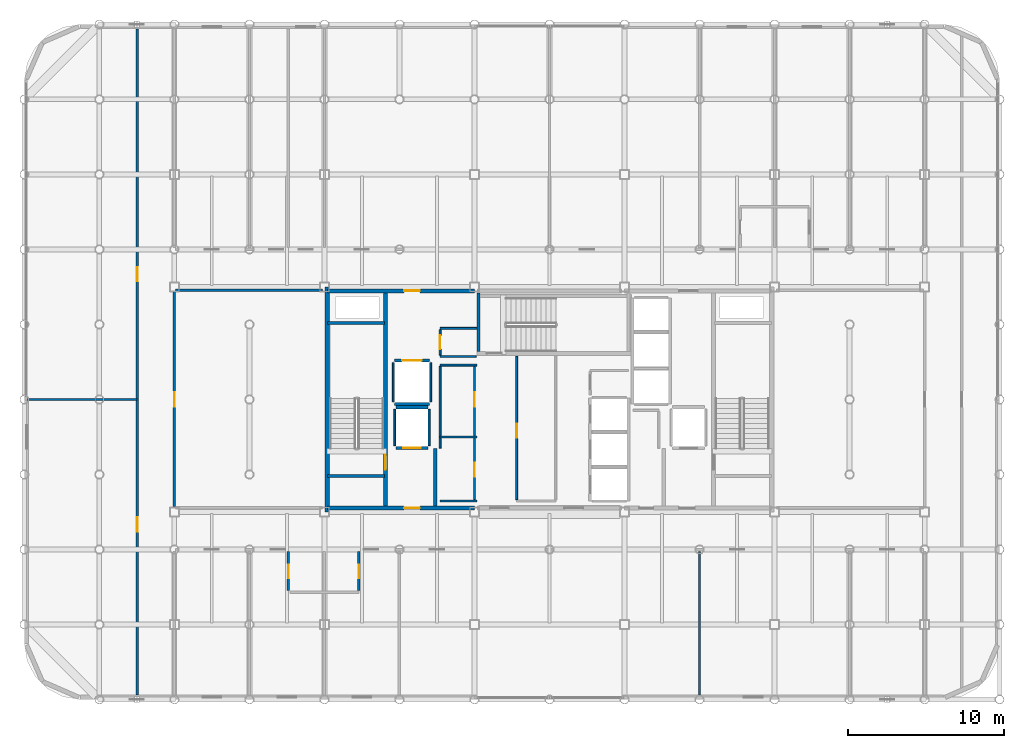
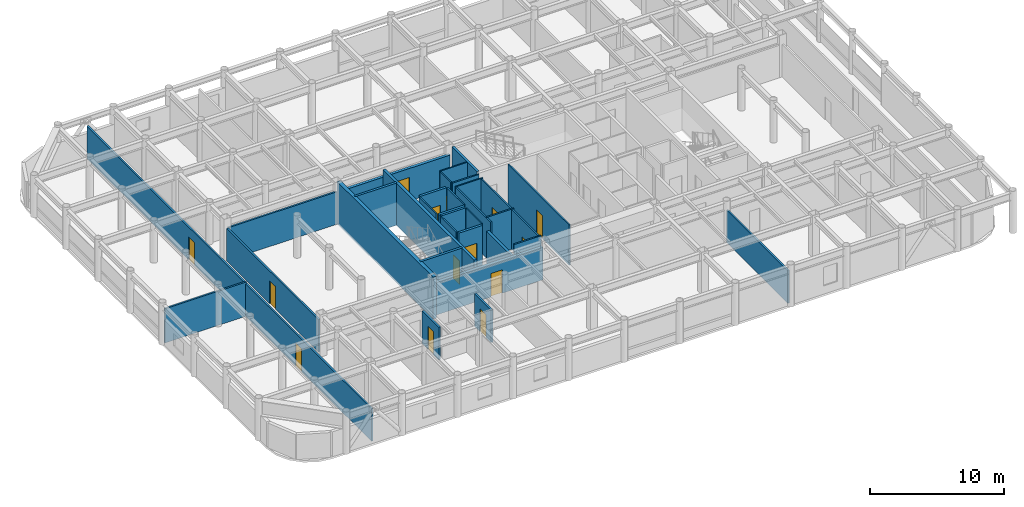
# One storey, part 18 of 22: 32 walls, 14 doors, 14 openings.
"""IFC4 building model written with IfcOpenShell, lengths in metres."""

from ifc_helpers import new_model, si_unit, direction, frame, frame_2d, origin, place, context, subcontext, project, spatial, rectangle, extrude, material, layer, layer_set, type_object, element, fill, save


model = new_model("IFC4")

# Units and contexts
model_context = context("Model", 3, precision=1e-05, world=origin(), true_north=direction((0.0, 1.0)))
body_context = subcontext(model_context, "Body", "Model", "MODEL_VIEW")
ifc_project = project(units=[si_unit("LENGTHUNIT", "METRE"), si_unit("AREAUNIT", "SQUARE_METRE"), si_unit("VOLUMEUNIT", "CUBIC_METRE"), si_unit("PLANEANGLEUNIT", "RADIAN"), si_unit("MASSUNIT", "GRAM", prefix="KILO")], contexts=[model_context])

# Site, building, storey
site_placement = place(None, origin())
site = spatial("IfcSite", under=ifc_project, at=site_placement, CompositionType="ELEMENT")
building_placement = place(site_placement, origin())
building = spatial("IfcBuilding", under=site, at=building_placement, Name="Kallvorn Hotel Tower", CompositionType="ELEMENT")
storey_placement = place(building_placement, frame((0.0, 0.0, 264.64990234375)))
storey = spatial("IfcBuildingStorey", under=building, at=storey_placement, Name="L66", CompositionType="ELEMENT", Elevation=264.64990234375)

# Wall
ifc_material_1 = material(Name="Concrete C50/60", Category="concrete")
ifc_layer_1 = layer(ifc_material_1, 0.300048828125)
ifc_layer_set_1 = layer_set([ifc_layer_1], Name="WL_CORE_300")
wall_type_1 = type_object("IfcWallType", Name="WL_CORE_300", PredefinedType="SHEAR", material=ifc_layer_set_1)
wall_1_placement = place(storey_placement, frame((-14.215087890625, -7.199951171875, -0.179931640625), z_axis=(0.0, 0.0, 1.0), x_axis=(0.0, 1.0, 0.0)))
element("IfcWall", 1, at=wall_1_placement, inside=storey, type_object=wall_type_1, Name="L66 Core West Shear Wall", PredefinedType="SHEAR", context=body_context, shape_type="SweptSolid", body=[
    extrude(rectangle(XDim=14.39990234375, YDim=0.300048828125, at=frame_2d((7.199951171875, 0.0))), origin(), (0.0, 0.0, 1.0), 3.85009765625),
])

# Wall, opening, door
ifc_material_2 = material(Name="Fire-rated double-layer acoustic gypsum drywall EI 60")
ifc_layer_2 = layer(ifc_material_2, 0.159912109375)
ifc_layer_set_2 = layer_set([ifc_layer_2], Name="WL_DEMISE_160")
wall_type_2 = type_object("IfcWallType", Name="WL_DEMISE_160", PredefinedType="PARTITIONING", material=ifc_layer_set_2)
wall_2_placement = place(storey_placement, frame((-16.705078125, -12.235107421875, 0.0), z_axis=(0.0, 0.0, 1.0), x_axis=(0.0, 1.0, 0.0)))
wall_2 = element("IfcWall", 2, at=wall_2_placement, inside=storey, type_object=wall_type_2, Name="L66 Suite 6601 Superior Twin Room Partition", PredefinedType="PARTITIONING", context=body_context, shape_type="SweptSolid", body=[
    extrude(rectangle(XDim=2.51513671875, YDim=0.159912109375, at=frame_2d((1.257568359375, 0.0))), origin(), (0.0, 0.0, 1.0), 2.97021484375),
])
opening_1_placement = place(wall_2_placement, frame((0.784912109375, 0.0, 0.0)))
opening_1 = element("IfcOpeningElement", 3, at=opening_1_placement, cuts=wall_2, Name="Opening BD-I", PredefinedType="OPENING", context=body_context, shape_type="SweptSolid", body=[
    extrude(rectangle(XDim=0.860107421875, YDim=2.10009765625, at=frame_2d((0.43017578125, 1.050048828125))), frame((0.0, 0.094970703125, 0.0), z_axis=(0.0, -1.0, 0.0), x_axis=(1.0, 0.0, 0.0)), (0.0, 0.0, 1.0), 0.18994140625),
])
ifc_material_3 = material(Name="Solid-core walnut veneer fire-rated timber door leaf", Category="wood")
door_type_1 = type_object("IfcDoorType", Name="DR_BATH_860x2100", OperationType="NOTDEFINED", PredefinedType="DOOR", material=ifc_material_3)
door_1_placement = place(opening_1_placement, origin())
door_1 = element("IfcDoor", 4, at=door_1_placement, inside=storey, type_object=door_type_1, Name="L66 Suite 6601 En-Suite Bathroom Door", OperationType="SINGLE_SWING_LEFT", OverallHeight=2.10009765625, OverallWidth=0.860107421875, PredefinedType="DOOR", context=body_context, shape_type="SweptSolid", body=[
    extrude(rectangle(XDim=0.860107421875, YDim=2.10009765625, at=frame_2d((0.43017578125, 1.050048828125))), frame((0.0, 0.02490234375, 0.0), z_axis=(0.0, -1.0, 0.0), x_axis=(1.0, 0.0, 0.0)), (0.0, 0.0, 1.0), 0.050048828125),
])
fill(opening_1, door_1)

wall_3_placement = place(storey_placement, frame((-12.18994140625, -12.235107421875, 0.0), z_axis=(0.0, 0.0, 1.0), x_axis=(0.0, 1.0, 0.0)))
wall_3 = element("IfcWall", 5, at=wall_3_placement, inside=storey, type_object=wall_type_2, Name="L66 Suite 6602 Superior Twin Room Partition", PredefinedType="PARTITIONING", context=body_context, shape_type="SweptSolid", body=[
    extrude(rectangle(XDim=2.51513671875, YDim=0.159912109375, at=frame_2d((1.257568359375, 0.0))), origin(), (0.0, 0.0, 1.0), 2.97021484375),
])
opening_2_placement = place(wall_3_placement, frame((0.784912109375, 0.0, 0.0)))
opening_2 = element("IfcOpeningElement", 6, at=opening_2_placement, cuts=wall_3, Name="Opening BD-I", PredefinedType="OPENING", context=body_context, shape_type="SweptSolid", body=[
    extrude(rectangle(XDim=0.860107421875, YDim=2.10009765625, at=frame_2d((0.43017578125, 1.050048828125))), frame((0.0, 0.094970703125, 0.0), z_axis=(0.0, -1.0, 0.0), x_axis=(1.0, 0.0, 0.0)), (0.0, 0.0, 1.0), 0.18994140625),
])
door_2_placement = place(opening_2_placement, origin())
door_2 = element("IfcDoor", 7, at=door_2_placement, inside=storey, type_object=door_type_1, Name="L66 Suite 6602 En-Suite Bathroom Door", OperationType="SINGLE_SWING_LEFT", OverallHeight=2.10009765625, OverallWidth=0.860107421875, PredefinedType="DOOR", context=body_context, shape_type="SweptSolid", body=[
    extrude(rectangle(XDim=0.860107421875, YDim=2.10009765625, at=frame_2d((0.43017578125, 1.050048828125))), frame((0.0, 0.02490234375, 0.0), z_axis=(0.0, -1.0, 0.0), x_axis=(1.0, 0.0, 0.0)), (0.0, 0.0, 1.0), 0.050048828125),
])
fill(opening_2, door_2)

# Walls
ifc_material_4 = material(Name="Concrete C40/50", Category="concrete")
ifc_layer_3 = layer(ifc_material_4, 0.219970703125)
ifc_layer_set_3 = layer_set([ifc_layer_3], Name="WL_FFL_220")
wall_type_3 = type_object("IfcWallType", Name="WL_FFL_220", PredefinedType="SOLIDWALL", material=ifc_layer_set_3)
wall_4_placement = place(storey_placement, frame((-7.300048828125, -6.820068359375, 0.0), z_axis=(0.0, 0.0, 1.0), x_axis=(0.0, 1.0, 0.0)))
element("IfcWall", 8, at=wall_4_placement, inside=storey, type_object=wall_type_3, Name="L66 Firefighting Lobby West Divider Wall", PredefinedType="SOLIDWALL", context=body_context, shape_type="SweptSolid", body=[
    extrude(rectangle(XDim=3.670166015625, YDim=0.219970703125, at=frame_2d((1.8349609375, 0.0))), origin(), (0.0, 0.0, 1.0), 2.97021484375),
])
ifc_material_5 = material(Name="Concrete C40/50", Category="concrete")
ifc_layer_4 = layer(ifc_material_5, 0.199951171875)
ifc_layer_set_4 = layer_set([ifc_layer_4], Name="WL_HOIST_200")
wall_type_4 = type_object("IfcWallType", Name="WL_HOIST_200", PredefinedType="SOLIDWALL", material=ifc_layer_set_4)
for number, where, z_axis, x_axis, name in (
    (9, (-14.199951171875, -4.89990234375, -0.179931640625), (0.0, 0.0, 1.0), (1.0, 0.0, 0.0), "L66 Stair ST1 South Wall"),
    (10, (-14.199951171875, 4.89990234375, -0.179931640625), (0.0, 0.0, 1.0), (1.0, 0.0, 0.0), "L66 Stair ST1 North Wall"),
):
    element("IfcWall", number, at=place(storey_placement, frame(where, z_axis=z_axis, x_axis=x_axis)), inside=storey, type_object=wall_type_4, Name=name, PredefinedType="SOLIDWALL", context=body_context, shape_type="SweptSolid", body=[
        extrude(rectangle(XDim=3.64990234375, YDim=0.199951171875, at=frame_2d((1.824951171875, 0.0))), origin(), (0.0, 0.0, 1.0), 3.85009765625),
    ])
wall_5_placement = place(storey_placement, frame((-4.550048828125, 3.080078125, -0.179931640625), z_axis=(0.0, 0.0, 1.0), x_axis=(0.0, 1.0, 0.0)))
element("IfcWall", 11, at=wall_5_placement, inside=storey, type_object=wall_type_4, Name="L66 Stair ST3 West Wall", PredefinedType="SOLIDWALL", context=body_context, shape_type="SweptSolid", body=[
    extrude(rectangle(XDim=3.739990234375, YDim=0.199951171875, at=frame_2d((1.8701171875, 0.0))), origin(), (0.0, 0.0, 1.0), 3.85009765625),
])

# Wall, opening, door
wall_6_placement = place(storey_placement, frame((-9.820068359375, -3.10009765625, 0.0), z_axis=(0.0, 0.0, 1.0), x_axis=(1.0, 0.0, 0.0)))
wall_6 = element("IfcWall", 12, at=wall_6_placement, inside=storey, type_object=wall_type_4, Name="L66 FL-1 Landing Wall", PredefinedType="SOLIDWALL", context=body_context, shape_type="SweptSolid", body=[
    extrude(rectangle(XDim=2.0400390625, YDim=0.199951171875, at=frame_2d((1.02001953125, 0.0))), origin(), (0.0, 0.0, 1.0), 3.670166015625),
])
opening_3_placement = place(wall_6_placement, frame((0.469970703125, 0.0, 0.0)))
opening_3 = element("IfcOpeningElement", 13, at=opening_3_placement, cuts=wall_6, Name="Opening LD-FL-1", PredefinedType="OPENING", context=body_context, shape_type="SweptSolid", body=[
    extrude(rectangle(XDim=1.10009765625, YDim=2.199951171875, at=frame_2d((0.550048828125, 1.10009765625))), frame((0.0, 0.114990234375, 0.0), z_axis=(0.0, -1.0, 0.0), x_axis=(1.0, 0.0, 0.0)), (0.0, 0.0, 1.0), 0.22998046875),
])
ifc_material_6 = material(Name="Brushed stainless-steel automatic sliding lift landing door", Category="steel")
door_type_2 = type_object("IfcDoorType", Name="LD_PASS_1100x2200", OperationType="SLIDING_TO_LEFT", PredefinedType="DOOR", material=ifc_material_6)
door_3_placement = place(opening_3_placement, origin())
door_3 = element("IfcDoor", 14, at=door_3_placement, inside=storey, type_object=door_type_2, Name="L66 Lift Landing Sliding Door LD-FL-1", OperationType="SLIDING_TO_LEFT", OverallHeight=2.199951171875, OverallWidth=1.10009765625, PredefinedType="DOOR", context=body_context, shape_type="SweptSolid", body=[
    extrude(rectangle(XDim=1.10009765625, YDim=2.199951171875, at=frame_2d((0.550048828125, 1.10009765625))), frame((0.0, 0.02490234375, 0.0), z_axis=(0.0, -1.0, 0.0), x_axis=(1.0, 0.0, 0.0)), (0.0, 0.0, 1.0), 0.050048828125),
])
fill(opening_3, door_3)

# Wall
wall_7_placement = place(storey_placement, frame((-9.820068359375, -0.5, 0.0), z_axis=(0.0, 0.0, 1.0), x_axis=(1.0, 0.0, 0.0)))
element("IfcWall", 15, at=wall_7_placement, inside=storey, type_object=wall_type_4, Name="L66 FL-1 Rear Shaft Wall", PredefinedType="SOLIDWALL", context=body_context, shape_type="SweptSolid", body=[
    extrude(rectangle(XDim=2.0400390625, YDim=0.199951171875, at=frame_2d((1.02001953125, 0.0))), origin(), (0.0, 0.0, 1.0), 3.670166015625),
])

# Wall, opening, door
wall_8_placement = place(storey_placement, frame((-9.919921875, 2.5, 0.0), z_axis=(0.0, 0.0, 1.0), x_axis=(1.0, 0.0, 0.0)))
wall_8 = element("IfcWall", 16, at=wall_8_placement, inside=storey, type_object=wall_type_4, Name="L66 SV-01 Landing Wall", PredefinedType="SOLIDWALL", context=body_context, shape_type="SweptSolid", body=[
    extrude(rectangle(XDim=2.239990234375, YDim=0.199951171875, at=frame_2d((1.1201171875, 0.0))), origin(), (0.0, 0.0, 1.0), 3.670166015625),
])
opening_4_placement = place(wall_8_placement, frame((0.4951171875, 0.0, 0.0)))
opening_4 = element("IfcOpeningElement", 17, at=opening_4_placement, cuts=wall_8, Name="Opening LD-SV-01", PredefinedType="OPENING", context=body_context, shape_type="SweptSolid", body=[
    extrude(rectangle(XDim=1.25, YDim=2.25, at=frame_2d((0.625, 1.125))), frame((0.0, 0.114990234375, 0.0), z_axis=(0.0, -1.0, 0.0), x_axis=(1.0, 0.0, 0.0)), (0.0, 0.0, 1.0), 0.22998046875),
])
ifc_material_7 = material(Name="Brushed stainless-steel automatic sliding lift landing door", Category="steel")
door_type_3 = type_object("IfcDoorType", Name="LD_SERV_1250x2250", OperationType="SLIDING_TO_LEFT", PredefinedType="DOOR", material=ifc_material_7)
door_4_placement = place(opening_4_placement, origin())
door_4 = element("IfcDoor", 18, at=door_4_placement, inside=storey, type_object=door_type_3, Name="L66 Lift Landing Sliding Door LD-SV-01", OperationType="SLIDING_TO_LEFT", OverallHeight=2.25, OverallWidth=1.25, PredefinedType="DOOR", context=body_context, shape_type="SweptSolid", body=[
    extrude(rectangle(XDim=1.25, YDim=2.25, at=frame_2d((0.625, 1.125))), frame((0.0, 0.02490234375, 0.0), z_axis=(0.0, -1.0, 0.0), x_axis=(1.0, 0.0, 0.0)), (0.0, 0.0, 1.0), 0.050048828125),
])
fill(opening_4, door_4)

# Walls
wall_9_placement = place(storey_placement, frame((-9.919921875, -0.300048828125, 0.0), z_axis=(0.0, 0.0, 1.0), x_axis=(1.0, 0.0, 0.0)))
element("IfcWall", 19, at=wall_9_placement, inside=storey, type_object=wall_type_4, Name="L66 SV-01 Rear Shaft Wall", PredefinedType="SOLIDWALL", context=body_context, shape_type="SweptSolid", body=[
    extrude(rectangle(XDim=2.239990234375, YDim=0.199951171875, at=frame_2d((1.1201171875, 0.0))), origin(), (0.0, 0.0, 1.0), 3.670166015625),
])
ifc_material_8 = material(Name="Fire-rated double-layer acoustic gypsum drywall EI 60")
ifc_layer_5 = layer(ifc_material_8, 0.1201171875)
ifc_layer_set_5 = layer_set([ifc_layer_5], Name="WL_INT_120")
wall_type_5 = type_object("IfcWallType", Name="WL_INT_120", PredefinedType="PARTITIONING", material=ifc_layer_set_5)
for number, where, z_axis, x_axis, name in (
    (20, (-9.89990234375, -2.9599609375, 0.0), (0.0, 0.0, 1.0), (0.0, 1.0, 0.0), "L66 FL-1 West Shaft Wall"),
    (21, (-7.699951171875, -2.9599609375, 0.0), (0.0, 0.0, 1.0), (0.0, 1.0, 0.0), "L66 FL-1 East Shaft Wall"),
):
    element("IfcWall", number, at=place(storey_placement, frame(where, z_axis=z_axis, x_axis=x_axis)), inside=storey, type_object=wall_type_5, Name=name, PredefinedType="PARTITIONING", context=body_context, shape_type="SweptSolid", body=[
        extrude(rectangle(XDim=2.320068359375, YDim=0.1201171875, at=frame_2d((1.16015625, 0.0))), origin(), (0.0, 0.0, 1.0), 3.670166015625),
    ])
for number, where, z_axis, x_axis, name in (
    (22, (-10.0, -0.159912109375, 0.0), (0.0, 0.0, 1.0), (0.0, 1.0, 0.0), "L66 SV-01 West Shaft Wall"),
    (23, (-7.60009765625, -0.159912109375, 0.0), (0.0, 0.0, 1.0), (0.0, 1.0, 0.0), "L66 SV-01 East Shaft Wall"),
):
    element("IfcWall", number, at=place(storey_placement, frame(where, z_axis=z_axis, x_axis=x_axis)), inside=storey, type_object=wall_type_5, Name=name, PredefinedType="PARTITIONING", context=body_context, shape_type="SweptSolid", body=[
        extrude(rectangle(XDim=2.52001953125, YDim=0.1201171875, at=frame_2d((1.260009765625, 0.0))), origin(), (0.0, 0.0, 1.0), 3.670166015625),
    ])
for number, where, z_axis, x_axis, name in (
    (24, (-7.0, -6.5, 0.0), (0.0, 0.0, 1.0), (1.0, 0.0, 0.0), "L66 Recaptured South Minibar Pantry Partition"),
    (25, (-7.0, -2.39990234375, 0.0), (0.0, 0.0, 1.0), (1.0, 0.0, 0.0), "L66 Recaptured Central Linen Store Partition"),
    (26, (-7.0, 2.199951171875, 0.0), (0.0, 0.0, 1.0), (1.0, 0.0, 0.0), "L66 Recaptured Central Linen Store Partition"),
):
    element("IfcWall", number, at=place(storey_placement, frame(where, z_axis=z_axis, x_axis=x_axis)), inside=storey, type_object=wall_type_5, Name=name, PredefinedType="PARTITIONING", context=body_context, shape_type="SweptSolid", body=[
        extrude(rectangle(XDim=2.35009765625, YDim=0.1201171875, at=frame_2d((1.175048828125, 0.0))), origin(), (0.0, 0.0, 1.0), 3.670166015625),
    ])
wall_10_placement = place(storey_placement, frame((-7.0, 2.75, 0.0), z_axis=(0.0, 0.0, 1.0), x_axis=(1.0, 0.0, 0.0)))
element("IfcWall", 27, at=wall_10_placement, inside=storey, type_object=wall_type_5, Name="L66 Recaptured North Valet Closet Partition", PredefinedType="PARTITIONING", context=body_context, shape_type="SweptSolid", body=[
    extrude(rectangle(XDim=2.31005859375, YDim=0.1201171875, at=frame_2d((1.155029296875, 0.0))), origin(), (0.0, 0.0, 1.0), 3.670166015625),
])
wall_11_placement = place(storey_placement, frame((-7.0, 4.550048828125, 0.0), z_axis=(0.0, 0.0, 1.0), x_axis=(1.0, 0.0, 0.0)))
element("IfcWall", 28, at=wall_11_placement, inside=storey, type_object=wall_type_5, Name="L66 Recaptured North Valet Closet Partition", PredefinedType="PARTITIONING", context=body_context, shape_type="SweptSolid", body=[
    extrude(rectangle(XDim=2.35009765625, YDim=0.1201171875, at=frame_2d((1.175048828125, 0.0))), origin(), (0.0, 0.0, 1.0), 3.670166015625),
])
wall_12_placement = place(storey_placement, frame((-7.0, -3.110107421875, 0.0), z_axis=(0.0, 0.0, 1.0), x_axis=(0.0, 1.0, 0.0)))
element("IfcWall", 29, at=wall_12_placement, inside=storey, type_object=wall_type_5, Name="L66 Recaptured South Minibar Pantry Partition", PredefinedType="PARTITIONING", context=body_context, shape_type="SweptSolid", body=[
    extrude(rectangle(XDim=5.22509765625, YDim=0.1201171875, at=frame_2d((2.612548828125, 0.0))), origin(), (0.0, 0.0, 1.0), 3.670166015625),
])

# Wall, opening, door
wall_13_placement = place(storey_placement, frame((-7.0, 2.8349609375, 0.0), z_axis=(0.0, 0.0, 1.0), x_axis=(0.0, 1.0, 0.0)))
wall_13 = element("IfcWall", 30, at=wall_13_placement, inside=storey, type_object=wall_type_5, Name="L66 Recaptured North Valet Closet Partition", PredefinedType="PARTITIONING", context=body_context, shape_type="SweptSolid", body=[
    extrude(rectangle(XDim=1.630126953125, YDim=0.1201171875, at=frame_2d((0.81494140625, 0.0))), origin(), (0.0, 0.0, 1.0), 3.670166015625),
])
opening_5_placement = place(wall_13_placement, frame((0.364990234375, 0.0, 0.0)))
opening_5 = element("IfcOpeningElement", 31, at=opening_5_placement, cuts=wall_13, Name="Opening SVD1", PredefinedType="OPENING", context=body_context, shape_type="SweptSolid", body=[
    extrude(rectangle(XDim=0.89990234375, YDim=2.10009765625, at=frame_2d((0.449951171875, 1.050048828125))), frame((0.0, 0.074951171875, 0.0), z_axis=(0.0, -1.0, 0.0), x_axis=(1.0, 0.0, 0.0)), (0.0, 0.0, 1.0), 0.150146484375),
])
ifc_material_9 = material(Name="Galvanised painted steel fire-rated door assembly", Category="steel")
door_type_4 = type_object("IfcDoorType", Name="DR_SERV_900x2100", OperationType="NOTDEFINED", PredefinedType="DOOR", material=ifc_material_9)
door_5_placement = place(opening_5_placement, origin())
door_5 = element("IfcDoor", 32, at=door_5_placement, inside=storey, type_object=door_type_4, Name="L66 Recaptured North Valet Closet Door", OperationType="SINGLE_SWING_RIGHT", OverallHeight=2.10009765625, OverallWidth=0.89990234375, PredefinedType="DOOR", context=body_context, shape_type="SweptSolid", body=[
    extrude(rectangle(XDim=0.89990234375, YDim=2.10009765625, at=frame_2d((0.449951171875, 1.050048828125))), frame((0.0, 0.02490234375, 0.0), z_axis=(0.0, -1.0, 0.0), x_axis=(1.0, 0.0, 0.0)), (0.0, 0.0, 1.0), 0.050048828125),
])
fill(opening_5, door_5)

# Wall, openings, doors
wall_14_placement = place(storey_placement, frame((-4.800048828125, -6.4150390625, 0.0), z_axis=(0.0, 0.0, 1.0), x_axis=(0.0, 1.0, 0.0)))
wall_14 = element("IfcWall", 33, at=wall_14_placement, inside=storey, type_object=wall_type_5, Name="L66 Recaptured South Minibar Pantry Partition", PredefinedType="PARTITIONING", context=body_context, shape_type="SweptSolid", body=[
    extrude(rectangle(XDim=8.530029296875, YDim=0.1201171875, at=frame_2d((4.26513671875, 0.0))), origin(), (0.0, 0.0, 1.0), 3.670166015625),
])
opening_6_placement = place(wall_14_placement, frame((1.465087890625, 0.0, 0.0)))
opening_6 = element("IfcOpeningElement", 34, at=opening_6_placement, cuts=wall_14, Name="Opening SVD1", PredefinedType="OPENING", context=body_context, shape_type="SweptSolid", body=[
    extrude(rectangle(XDim=0.89990234375, YDim=2.10009765625, at=frame_2d((0.449951171875, 1.050048828125))), frame((0.0, 0.074951171875, 0.0), z_axis=(0.0, -1.0, 0.0), x_axis=(1.0, 0.0, 0.0)), (0.0, 0.0, 1.0), 0.150146484375),
])
opening_7_placement = place(wall_14_placement, frame((5.965087890625, 0.0, 0.0)))
opening_7 = element("IfcOpeningElement", 35, at=opening_7_placement, cuts=wall_14, Name="Opening SVD1", PredefinedType="OPENING", context=body_context, shape_type="SweptSolid", body=[
    extrude(rectangle(XDim=0.89990234375, YDim=2.10009765625, at=frame_2d((0.449951171875, 1.050048828125))), frame((0.0, 0.074951171875, 0.0), z_axis=(0.0, -1.0, 0.0), x_axis=(1.0, 0.0, 0.0)), (0.0, 0.0, 1.0), 0.150146484375),
])
door_6_placement = place(opening_6_placement, origin())
door_6 = element("IfcDoor", 36, at=door_6_placement, inside=storey, type_object=door_type_4, Name="L66 Recaptured South Minibar Pantry Door", OperationType="SINGLE_SWING_RIGHT", OverallHeight=2.10009765625, OverallWidth=0.89990234375, PredefinedType="DOOR", context=body_context, shape_type="SweptSolid", body=[
    extrude(rectangle(XDim=0.89990234375, YDim=2.10009765625, at=frame_2d((0.449951171875, 1.050048828125))), frame((0.0, 0.02490234375, 0.0), z_axis=(0.0, -1.0, 0.0), x_axis=(1.0, 0.0, 0.0)), (0.0, 0.0, 1.0), 0.050048828125),
])
fill(opening_6, door_6)
door_7_placement = place(opening_7_placement, origin())
door_7 = element("IfcDoor", 37, at=door_7_placement, inside=storey, type_object=door_type_4, Name="L66 Recaptured Central Linen Store Door", OperationType="SINGLE_SWING_RIGHT", OverallHeight=2.10009765625, OverallWidth=0.89990234375, PredefinedType="DOOR", context=body_context, shape_type="SweptSolid", body=[
    extrude(rectangle(XDim=0.89990234375, YDim=2.10009765625, at=frame_2d((0.449951171875, 1.050048828125))), frame((0.0, 0.02490234375, 0.0), z_axis=(0.0, -1.0, 0.0), x_axis=(1.0, 0.0, 0.0)), (0.0, 0.0, 1.0), 0.050048828125),
])
fill(opening_7, door_7)

# Wall, opening, door
wall_15_placement = place(storey_placement, frame((-2.10009765625, -6.4150390625, 0.0), z_axis=(0.0, 0.0, 1.0), x_axis=(0.0, 1.0, 0.0)))
wall_15 = element("IfcWall", 38, at=wall_15_placement, inside=storey, type_object=wall_type_5, Name="L66 Altitude Executive Pantry and Ice Room Partition", PredefinedType="PARTITIONING", context=body_context, shape_type="SweptSolid", body=[
    extrude(rectangle(XDim=9.1650390625, YDim=0.1201171875, at=frame_2d((4.58251953125, 0.0))), origin(), (0.0, 0.0, 1.0), 3.670166015625),
])
opening_8_placement = place(wall_15_placement, frame((3.965087890625, 0.0, 0.0)))
opening_8 = element("IfcOpeningElement", 39, at=opening_8_placement, cuts=wall_15, Name="Opening SVD1", PredefinedType="OPENING", context=body_context, shape_type="SweptSolid", body=[
    extrude(rectangle(XDim=0.89990234375, YDim=2.10009765625, at=frame_2d((0.449951171875, 1.050048828125))), frame((0.0, 0.074951171875, 0.0), z_axis=(0.0, -1.0, 0.0), x_axis=(1.0, 0.0, 0.0)), (0.0, 0.0, 1.0), 0.150146484375),
])
door_8_placement = place(opening_8_placement, origin())
door_8 = element("IfcDoor", 40, at=door_8_placement, inside=storey, type_object=door_type_4, Name="L66 Altitude Executive Pantry and Ice Room Door", OperationType="SINGLE_SWING_RIGHT", OverallHeight=2.10009765625, OverallWidth=0.89990234375, PredefinedType="DOOR", context=body_context, shape_type="SweptSolid", body=[
    extrude(rectangle(XDim=0.89990234375, YDim=2.10009765625, at=frame_2d((0.449951171875, 1.050048828125))), frame((0.0, 0.02490234375, 0.0), z_axis=(0.0, -1.0, 0.0), x_axis=(1.0, 0.0, 0.0)), (0.0, 0.0, 1.0), 0.050048828125),
])
fill(opening_8, door_8)

# Walls
ifc_material_10 = material(Name="Fire-rated double-layer acoustic gypsum drywall EI 60")
ifc_layer_6 = layer(ifc_material_10, 0.14990234375)
ifc_layer_set_6 = layer_set([ifc_layer_6], Name="WL_PART_150")
wall_type_6 = type_object("IfcWallType", Name="WL_PART_150", PredefinedType="PARTITIONING", material=ifc_layer_set_6)
wall_16_placement = place(storey_placement, frame((-33.429931640625, 0.0, 0.0), z_axis=(0.0, 0.0, 1.0), x_axis=(1.0, 0.0, 0.0)))
element("IfcWall", 41, at=wall_16_placement, inside=storey, type_object=wall_type_6, Name="L66 L66 Outer West North Fitness Club Partition", PredefinedType="PARTITIONING", context=body_context, shape_type="SweptSolid", body=[
    extrude(rectangle(XDim=7.050048828125, YDim=0.14990234375, at=frame_2d((3.52490234375, 0.0))), origin(), (0.0, 0.0, 1.0), 3.1201171875),
])
wall_17_placement = place(storey_placement, frame((-23.919921875, 6.97998046875, 0.0), z_axis=(0.0, 0.0, 1.0), x_axis=(1.0, 0.0, 0.0)))
element("IfcWall", 42, at=wall_17_placement, inside=storey, type_object=wall_type_6, Name="L66 L66 High-Zone Inner West Club Bar Partition", PredefinedType="PARTITIONING", context=body_context, shape_type="SweptSolid", body=[
    extrude(rectangle(XDim=9.39990234375, YDim=0.14990234375, at=frame_2d((4.699951171875, 0.0))), origin(), (0.0, 0.0, 1.0), 2.97021484375),
])

# Wall, openings, doors
wall_18_placement = place(storey_placement, frame((-26.3798828125, -18.909912109375, 0.0), z_axis=(0.0, 0.0, 1.0), x_axis=(0.0, 1.0, 0.0)))
wall_18 = element("IfcWall", 43, at=wall_18_placement, inside=storey, type_object=wall_type_6, Name="L66 L66 Outer West South Cocktail Bar Partition", PredefinedType="PARTITIONING", context=body_context, shape_type="SweptSolid", body=[
    extrude(rectangle(XDim=42.619873046875, YDim=0.14990234375, at=frame_2d((21.31005859375, 0.0))), origin(), (0.0, 0.0, 1.0), 2.97021484375),
])
opening_9_placement = place(wall_18_placement, frame((10.4599609375, 0.0, 0.0)))
opening_9 = element("IfcOpeningElement", 44, at=opening_9_placement, cuts=wall_18, Name="Opening SVD1", PredefinedType="OPENING", context=body_context, shape_type="SweptSolid", body=[
    extrude(rectangle(XDim=0.89990234375, YDim=2.10009765625, at=frame_2d((0.449951171875, 1.050048828125))), frame((0.0, 0.08984375, 0.0), z_axis=(0.0, -1.0, 0.0), x_axis=(1.0, 0.0, 0.0)), (0.0, 0.0, 1.0), 0.179931640625),
])
opening_10_placement = place(wall_18_placement, frame((26.4599609375, 0.0, 0.0)))
opening_10 = element("IfcOpeningElement", 45, at=opening_10_placement, cuts=wall_18, Name="Opening SVD1", PredefinedType="OPENING", context=body_context, shape_type="SweptSolid", body=[
    extrude(rectangle(XDim=0.89990234375, YDim=2.10009765625, at=frame_2d((0.449951171875, 1.050048828125))), frame((0.0, 0.08984375, 0.0), z_axis=(0.0, -1.0, 0.0), x_axis=(1.0, 0.0, 0.0)), (0.0, 0.0, 1.0), 0.179931640625),
])
door_9_placement = place(opening_9_placement, origin())
door_9 = element("IfcDoor", 46, at=door_9_placement, inside=storey, type_object=door_type_4, Name="L66 L66 Outer West South Cocktail Bar Door", OperationType="SINGLE_SWING_RIGHT", OverallHeight=2.10009765625, OverallWidth=0.89990234375, PredefinedType="DOOR", context=body_context, shape_type="SweptSolid", body=[
    extrude(rectangle(XDim=0.89990234375, YDim=2.10009765625, at=frame_2d((0.449951171875, 1.050048828125))), frame((0.0, 0.02490234375, 0.0), z_axis=(0.0, -1.0, 0.0), x_axis=(1.0, 0.0, 0.0)), (0.0, 0.0, 1.0), 0.050048828125),
])
fill(opening_9, door_9)
door_10_placement = place(opening_10_placement, origin())
door_10 = element("IfcDoor", 47, at=door_10_placement, inside=storey, type_object=door_type_4, Name="L66 L66 Outer West North Fitness Club Door", OperationType="SINGLE_SWING_RIGHT", OverallHeight=2.10009765625, OverallWidth=0.89990234375, PredefinedType="DOOR", context=body_context, shape_type="SweptSolid", body=[
    extrude(rectangle(XDim=0.89990234375, YDim=2.10009765625, at=frame_2d((0.449951171875, 1.050048828125))), frame((0.0, 0.02490234375, 0.0), z_axis=(0.0, -1.0, 0.0), x_axis=(1.0, 0.0, 0.0)), (0.0, 0.0, 1.0), 0.050048828125),
])
fill(opening_10, door_10)

# Wall, opening, door
wall_19_placement = place(storey_placement, frame((-24.0, -6.8349609375, 0.0), z_axis=(0.0, 0.0, 1.0), x_axis=(0.0, 1.0, 0.0)))
wall_19 = element("IfcWall", 48, at=wall_19_placement, inside=storey, type_object=wall_type_6, Name="L66 L66 High-Zone Inner West Club Bar Partition", PredefinedType="PARTITIONING", context=body_context, shape_type="SweptSolid", body=[
    extrude(rectangle(XDim=13.72998046875, YDim=0.14990234375, at=frame_2d((6.864990234375, 0.0))), origin(), (0.0, 0.0, 1.0), 2.97021484375),
])
opening_11_placement = place(wall_19_placement, frame((6.385009765625, 0.0, 0.0)))
opening_11 = element("IfcOpeningElement", 49, at=opening_11_placement, cuts=wall_19, Name="Opening SVD1", PredefinedType="OPENING", context=body_context, shape_type="SweptSolid", body=[
    extrude(rectangle(XDim=0.89990234375, YDim=2.10009765625, at=frame_2d((0.449951171875, 1.050048828125))), frame((0.0, 0.08984375, 0.0), z_axis=(0.0, -1.0, 0.0), x_axis=(1.0, 0.0, 0.0)), (0.0, 0.0, 1.0), 0.179931640625),
])
door_11_placement = place(opening_11_placement, origin())
door_11 = element("IfcDoor", 50, at=door_11_placement, inside=storey, type_object=door_type_4, Name="L66 L66 High-Zone Inner West Club Bar Door", OperationType="SINGLE_SWING_LEFT", OverallHeight=2.10009765625, OverallWidth=0.89990234375, PredefinedType="DOOR", context=body_context, shape_type="SweptSolid", body=[
    extrude(rectangle(XDim=0.89990234375, YDim=2.10009765625, at=frame_2d((0.449951171875, 1.050048828125))), frame((0.0, 0.02490234375, 0.0), z_axis=(0.0, -1.0, 0.0), x_axis=(1.0, 0.0, 0.0)), (0.0, 0.0, 1.0), 0.050048828125),
])
fill(opening_11, door_11)

# Wall
wall_20_placement = place(storey_placement, frame((9.60009765625, -18.909912109375, 0.0), z_axis=(0.0, 0.0, 1.0), x_axis=(0.0, 1.0, 0.0)))
element("IfcWall", 51, at=wall_20_placement, inside=storey, type_object=wall_type_6, Name="L66 L66 Executive Collectors Library Club 4 Partition", PredefinedType="PARTITIONING", context=body_context, shape_type="SweptSolid", body=[
    extrude(rectangle(XDim=9.18994140625, YDim=0.14990234375, at=frame_2d((4.594970703125, 0.0))), origin(), (0.0, 0.0, 1.0), 2.97021484375),
])

# Wall, opening, door
ifc_material_11 = material(Name="Concrete C40/50", Category="concrete")
ifc_layer_7 = layer(ifc_material_11, 0.25)
ifc_layer_set_7 = layer_set([ifc_layer_7], Name="WL_SHAFT_250")
wall_type_7 = type_object("IfcWallType", Name="WL_SHAFT_250", PredefinedType="SOLIDWALL", material=ifc_layer_set_7)
wall_21_placement = place(storey_placement, frame((-14.199951171875, -6.949951171875, 0.0), z_axis=(0.0, 0.0, 1.0), x_axis=(1.0, 0.0, 0.0)))
wall_21 = element("IfcWall", 52, at=wall_21_placement, inside=storey, type_object=wall_type_7, Name="L66 Core South-West Wall", PredefinedType="SOLIDWALL", context=body_context, shape_type="SweptSolid", body=[
    extrude(rectangle(XDim=9.39990234375, YDim=0.25, at=frame_2d((4.699951171875, 0.0))), origin(), (0.0, 0.0, 1.0), 2.97021484375),
])
opening_12_placement = place(wall_21_placement, frame((4.89990234375, 0.0, 0.0)))
opening_12 = element("IfcOpeningElement", 53, at=opening_12_placement, cuts=wall_21, Name="Opening FD1", PredefinedType="OPENING", context=body_context, shape_type="SweptSolid", body=[
    extrude(rectangle(XDim=1.0, YDim=2.14990234375, at=frame_2d((0.5, 1.074951171875))), frame((0.0, 0.139892578125, 0.0), z_axis=(0.0, -1.0, 0.0), x_axis=(1.0, 0.0, 0.0)), (0.0, 0.0, 1.0), 0.280029296875),
])
ifc_material_12 = material(Name="Galvanised painted steel fire-rated door assembly", Category="steel")
door_type_5 = type_object("IfcDoorType", Name="DR_FFL_1000x2150", OperationType="NOTDEFINED", PredefinedType="DOOR", material=ifc_material_12)
door_12_placement = place(opening_12_placement, origin())
door_12 = element("IfcDoor", 54, at=door_12_placement, inside=storey, type_object=door_type_5, Name="L66 Firefighting Lobby West Door", OperationType="SINGLE_SWING_LEFT", OverallHeight=2.14990234375, OverallWidth=1.0, PredefinedType="DOOR", context=body_context, shape_type="SweptSolid", body=[
    extrude(rectangle(XDim=1.0, YDim=2.14990234375, at=frame_2d((0.5, 1.074951171875))), frame((0.0, 0.02490234375, 0.0), z_axis=(0.0, -1.0, 0.0), x_axis=(1.0, 0.0, 0.0)), (0.0, 0.0, 1.0), 0.050048828125),
])
fill(opening_12, door_12)

wall_22_placement = place(storey_placement, frame((-14.199951171875, 6.949951171875, 0.0), z_axis=(0.0, 0.0, 1.0), x_axis=(1.0, 0.0, 0.0)))
wall_22 = element("IfcWall", 55, at=wall_22_placement, inside=storey, type_object=wall_type_7, Name="L66 Core North-West Wall", PredefinedType="SOLIDWALL", context=body_context, shape_type="SweptSolid", body=[
    extrude(rectangle(XDim=9.39990234375, YDim=0.25, at=frame_2d((4.699951171875, 0.0))), origin(), (0.0, 0.0, 1.0), 2.97021484375),
])
opening_13_placement = place(wall_22_placement, frame((4.89990234375, 0.0, 0.0)))
opening_13 = element("IfcOpeningElement", 56, at=opening_13_placement, cuts=wall_22, Name="Opening FD1", PredefinedType="OPENING", context=body_context, shape_type="SweptSolid", body=[
    extrude(rectangle(XDim=1.0, YDim=2.14990234375, at=frame_2d((0.5, 1.074951171875))), frame((0.0, 0.139892578125, 0.0), z_axis=(0.0, -1.0, 0.0), x_axis=(1.0, 0.0, 0.0)), (0.0, 0.0, 1.0), 0.280029296875),
])
door_13_placement = place(opening_13_placement, origin())
door_13 = element("IfcDoor", 57, at=door_13_placement, inside=storey, type_object=door_type_5, Name="L66 Service Lift Lobby Door", OperationType="SINGLE_SWING_RIGHT", OverallHeight=2.14990234375, OverallWidth=1.0, PredefinedType="DOOR", context=body_context, shape_type="SweptSolid", body=[
    extrude(rectangle(XDim=1.0, YDim=2.14990234375, at=frame_2d((0.5, 1.074951171875))), frame((0.0, 0.02490234375, 0.0), z_axis=(0.0, -1.0, 0.0), x_axis=(1.0, 0.0, 0.0)), (0.0, 0.0, 1.0), 0.050048828125),
])
fill(opening_13, door_13)

wall_23_placement = place(storey_placement, frame((-10.5, -6.820068359375, -0.179931640625), z_axis=(0.0, 0.0, 1.0), x_axis=(0.0, 1.0, 0.0)))
wall_23 = element("IfcWall", 58, at=wall_23_placement, inside=storey, type_object=wall_type_7, Name="L66 Stair ST1 Shaft Wall", PredefinedType="SOLIDWALL", context=body_context, shape_type="SweptSolid", body=[
    extrude(rectangle(XDim=13.64013671875, YDim=0.25, at=frame_2d((6.820068359375, 0.0))), origin(), (0.0, 0.0, 1.0), 3.85009765625),
])
opening_14_placement = place(wall_23_placement, frame((2.320068359375, 0.0, 0.179931640625)))
opening_14 = element("IfcOpeningElement", 59, at=opening_14_placement, cuts=wall_23, Name="Opening SD1", PredefinedType="OPENING", context=body_context, shape_type="SweptSolid", body=[
    extrude(rectangle(XDim=0.949951171875, YDim=2.14990234375, at=frame_2d((0.47509765625, 1.074951171875))), frame((0.0, 0.139892578125, 0.0), z_axis=(0.0, -1.0, 0.0), x_axis=(1.0, 0.0, 0.0)), (0.0, 0.0, 1.0), 0.280029296875),
])
ifc_material_13 = material(Name="Galvanised painted steel fire-rated door assembly", Category="steel")
door_type_6 = type_object("IfcDoorType", Name="DR_STAIR_950x2150", OperationType="NOTDEFINED", PredefinedType="DOOR", material=ifc_material_13)
door_14_placement = place(opening_14_placement, origin())
door_14 = element("IfcDoor", 60, at=door_14_placement, inside=storey, type_object=door_type_6, Name="L66 Exit Stair ST1 Fire Door", OperationType="SINGLE_SWING_RIGHT", OverallHeight=2.14990234375, OverallWidth=0.949951171875, PredefinedType="DOOR", context=body_context, shape_type="SweptSolid", body=[
    extrude(rectangle(XDim=0.949951171875, YDim=2.14990234375, at=frame_2d((0.47509765625, 1.074951171875))), frame((0.0, 0.02490234375, 0.0), z_axis=(0.0, -1.0, 0.0), x_axis=(1.0, 0.0, 0.0)), (0.0, 0.0, 1.0), 0.050048828125),
])
fill(opening_14, door_14)

save(model, "model.ifc")
